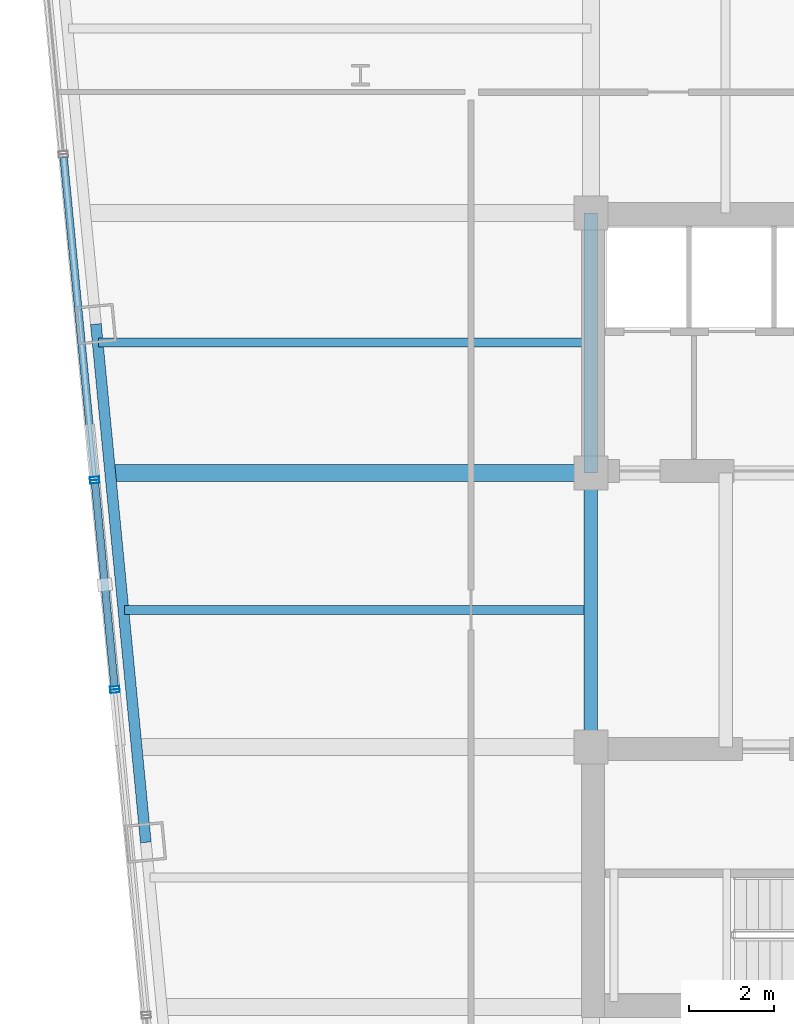
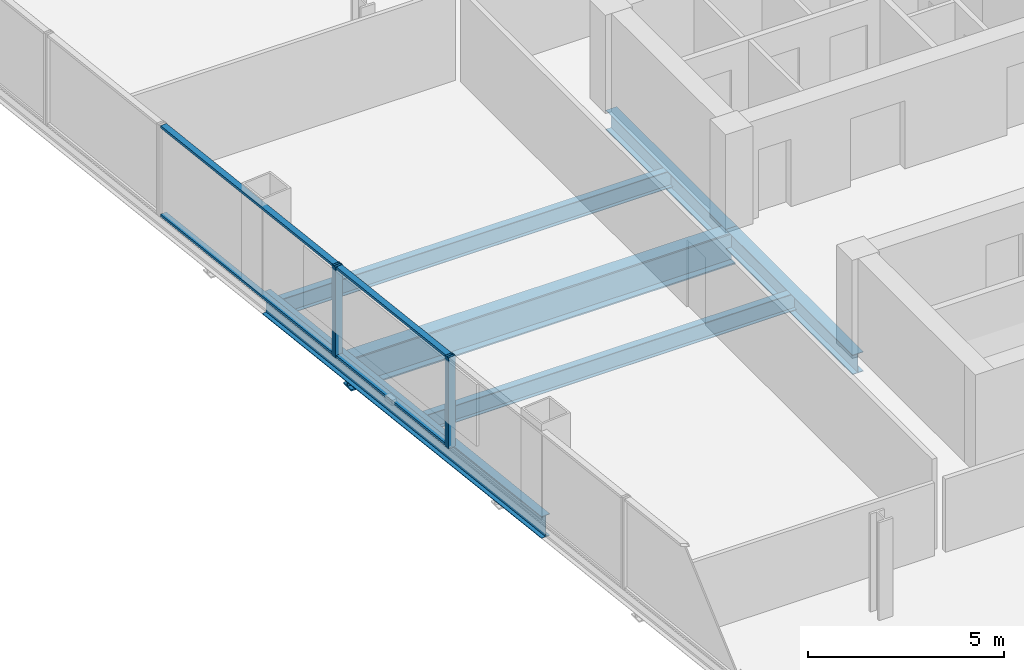
# One storey, part 7 of 27: 8 members, 6 beams, 3 elements without a shape of their own.
"""IFC4 building model written with IfcOpenShell, lengths in metres."""

from ifc_helpers import new_model, si_unit, direction, frame, origin, origin_2d, place, context, subcontext, project, spatial, hollow_rectangle, i_section, extrude, material, layer, layer_set, material_profile, profile_set, type_object, element, aggregate, save


model = new_model("IFC4")

# Units and contexts
model_context = context("Model", 3, precision=1e-05, world=origin(), true_north=direction((0.0, 1.0)))
body_context = subcontext(model_context, "Body", "Model", "MODEL_VIEW")
ifc_project = project(units=[si_unit("LENGTHUNIT", "METRE"), si_unit("AREAUNIT", "SQUARE_METRE"), si_unit("VOLUMEUNIT", "CUBIC_METRE"), si_unit("PLANEANGLEUNIT", "RADIAN"), si_unit("MASSUNIT", "GRAM", prefix="KILO")], contexts=[model_context])

# Site, building, storey
site_placement = place(None, origin())
site = spatial("IfcSite", under=ifc_project, at=site_placement, CompositionType="ELEMENT")
building_placement = place(site_placement, origin())
building = spatial("IfcBuilding", under=site, at=building_placement, Name="Qhalaya Broadcast Tower", CompositionType="ELEMENT")
storey_placement = place(building_placement, frame((0.0, 0.0, 75.550048828125)))
storey = spatial("IfcBuildingStorey", under=building, at=storey_placement, Name="L21", CompositionType="ELEMENT", Elevation=75.550048828125)

# Beams
ifc_material_1 = material(Name="Structural Steel ASTM A992 Grade 50", Category="steel")
ifc_material_profile_1 = material_profile(ifc_material_1, i_section(OverallWidth=0.2099609375, OverallDepth=0.535888671875, WebThickness=0.010986328125, FlangeThickness=0.017333984375, at=origin_2d()), Name="W21X68")
ifc_profile_set_1 = profile_set([ifc_material_profile_1], Name="Structural Steel ASTM A992 Grade 50")
beam_type_1 = type_object("IfcBeamType", Name="Composite Floor Joist J02", PredefinedType="JOIST", material=ifc_profile_set_1)
beam_1_placement = place(storey_placement, frame((-20.368408203125, 0.60009765625, -0.488037109375), z_axis=(1.0, 0.0, 0.0), x_axis=(0.0, 1.0, 0.0)))
element("IfcBeam", 1, at=beam_1_placement, inside=storey, type_object=beam_type_1, Name="L21 J02 L21-JWE4W-1", PredefinedType="JOIST", context=body_context, shape_type="SweptSolid", body=[
    extrude(i_section(OverallWidth=0.2099609375, OverallDepth=0.535888671875, WebThickness=0.010986328125, FlangeThickness=0.017333984375, at=origin_2d()), origin(), (0.0, 0.0, 1.0), 10.993408203125),
])
beam_2_placement = place(storey_placement, frame((-20.974853515625, 6.89990234375, -0.488037109375), z_axis=(1.0, 0.0, 0.0), x_axis=(0.0, 1.0, 0.0)))
element("IfcBeam", 2, at=beam_2_placement, inside=storey, type_object=beam_type_1, Name="L21 J02 L21-JWE5W-1", PredefinedType="JOIST", context=body_context, shape_type="SweptSolid", body=[
    extrude(i_section(OverallWidth=0.2099609375, OverallDepth=0.535888671875, WebThickness=0.010986328125, FlangeThickness=0.017333984375, at=origin_2d()), origin(), (0.0, 0.0, 1.0), 11.599853515625),
])
ifc_material_profile_2 = material_profile(ifc_material_1, i_section(OverallWidth=0.323974609375, OverallDepth=0.612060546875, WebThickness=0.0126953125, FlangeThickness=0.01904296875, at=origin_2d()), Name="W24X104")
ifc_profile_set_2 = profile_set([ifc_material_profile_2], Name="Structural Steel ASTM A992 Grade 50")
beam_type_2 = type_object("IfcBeamType", Name="Core Frame Tie Beam B04", PredefinedType="BEAM", material=ifc_profile_set_2)
beam_3_placement = place(storey_placement, frame((-9.375, 3.824951171875, -0.526123046875), z_axis=(0.0, 1.0, 0.0), x_axis=(-1.0, 0.0, 0.0)))
element("IfcBeam", 3, at=beam_3_placement, inside=storey, type_object=beam_type_2, Name="L21 B04 L21-CCN2", PredefinedType="BEAM", context=body_context, shape_type="SweptSolid", body=[
    extrude(i_section(OverallWidth=0.323974609375, OverallDepth=0.612060546875, WebThickness=0.0126953125, FlangeThickness=0.01904296875, at=origin_2d()), origin(), (0.0, 0.0, 1.0), 6.125),
])
beam_4_placement = place(storey_placement, frame((-9.375, -2.625, -0.526123046875), z_axis=(0.0, 1.0, 0.0), x_axis=(-1.0, 0.0, 0.0)))
element("IfcBeam", 4, at=beam_4_placement, inside=storey, type_object=beam_type_2, Name="L21 B04 L21-CCW", PredefinedType="BEAM", context=body_context, shape_type="SweptSolid", body=[
    extrude(i_section(OverallWidth=0.323974609375, OverallDepth=0.612060546875, WebThickness=0.0126953125, FlangeThickness=0.01904296875, at=origin_2d()), origin(), (0.0, 0.0, 1.0), 6.449951171875),
])
ifc_material_profile_3 = material_profile(ifc_material_1, i_section(OverallWidth=0.40087890625, OverallDepth=1.010986328125, WebThickness=0.023681640625, FlangeThickness=0.0419921875, at=origin_2d()), Name="W40X297")
ifc_profile_set_3 = profile_set([ifc_material_profile_3], Name="Structural Steel ASTM A992 Grade 50")
beam_type_3 = type_object("IfcBeamType", Name="Lower Block Primary Girder PG2", PredefinedType="USERDEFINED", material=ifc_profile_set_3)
beam_5_placement = place(storey_placement, frame((-20.6787109375, 3.824951171875, -0.7255859375), z_axis=(1.0, 0.0, 0.0), x_axis=(0.0, 1.0, 0.0)))
element("IfcBeam", 5, at=beam_5_placement, inside=storey, type_object=beam_type_3, Name="L21 PG2 L21-PGYW3-1", ObjectType="GIRDER", PredefinedType="USERDEFINED", context=body_context, shape_type="SweptSolid", body=[
    extrude(i_section(OverallWidth=0.40087890625, OverallDepth=1.010986328125, WebThickness=0.023681640625, FlangeThickness=0.0419921875, at=origin_2d()), origin(), (0.0, 0.0, 1.0), 11.3037109375),
])
ifc_material_profile_4 = material_profile(ifc_material_1, i_section(OverallWidth=0.25390625, OverallDepth=0.68310546875, WebThickness=0.012451171875, FlangeThickness=0.01904296875, at=origin_2d()), Name="W27X94")
ifc_profile_set_4 = profile_set([ifc_material_profile_4], Name="Structural Steel ASTM A992 Grade 50")
beam_type_4 = type_object("IfcBeamType", Name="Perimeter Ring Spandrel Beam SP1", PredefinedType="SPANDREL", material=ifc_profile_set_4)
beam_6_placement = place(storey_placement, frame((-21.036865234375, 7.335205078125, -0.5615234375), z_axis=(0.095851586307, -0.99539563662, 0.0), x_axis=(0.99539563662, 0.095851586307, 0.0)))
element("IfcBeam", 6, at=beam_6_placement, inside=storey, type_object=beam_type_4, Name="L21 SP1 L21-SPR-14", PredefinedType="SPANDREL", context=body_context, shape_type="SweptSolid", body=[
    extrude(i_section(OverallWidth=0.25390625, OverallDepth=0.68310546875, WebThickness=0.012451171875, FlangeThickness=0.01904296875, at=origin_2d()), origin(), (0.0, 0.0, 1.0), 12.2666015625),
])

# Curtain wall, member
ifc_material_2 = material(Name="Fired Architectural Terracotta", Category="masonry")
ifc_layer_1 = layer(ifc_material_2, 0.219970703125, Name="Fired Architectural Terracotta")
ifc_layer_set_1 = layer_set([ifc_layer_1], Name="Fired Architectural Terracotta")
curtain_wall_type_1 = type_object("IfcCurtainWallType", Name="Block-Cap Unitised Terracotta Spandrel Wall CW-07", PredefinedType="NOTDEFINED", material=ifc_layer_set_1)
curtain_wall_1_placement = place(storey_placement, origin())
curtain_wall_1 = element("IfcCurtainWall", 7, at=curtain_wall_1_placement, inside=storey, type_object=curtain_wall_type_1, Name="L21 Unitised Curtain Wall L21-CW-W3", PredefinedType="NOTDEFINED")
ifc_material_3 = material(Name="Anodised Aluminium 6063-T6", Category="aluminium")
ifc_material_profile_5 = material_profile(ifc_material_3, hollow_rectangle(XDim=0.074951171875, YDim=0.219970703125, WallThickness=0.00390625, at=origin_2d()), Name="ALU-MUL 75x220x4")
ifc_profile_set_5 = profile_set([ifc_material_profile_5], Name="Anodised Aluminium 6063-T6")
member_type_1 = type_object("IfcMemberType", Name="Unitised Curtain-Wall Mullion M01", PredefinedType="MULLION", material=ifc_profile_set_5)
member_1_placement = place(storey_placement, frame((-21.068603515625, 3.69873046875, 0.0), z_axis=(0.0, 0.0, 1.0), x_axis=(0.095849092763, -0.995395876733, 0.0)))
member_1 = element("IfcMember", 8, at=member_1_placement, type_object=member_type_1, Name="CW-07 mullion 2", PredefinedType="MULLION", context=body_context, shape_type="SweptSolid", body=[
    extrude(hollow_rectangle(XDim=0.074951171875, YDim=0.219970703125, WallThickness=0.00390625, at=origin_2d()), origin(), (0.0, 0.0, 1.0), 2.829833984375),
])

# Curtain wall, members
ifc_material_4 = material(Name="Solar-Control Low-E Triple Glazing", Category="glass")
ifc_layer_2 = layer(ifc_material_4, 0.219970703125, Name="Solar-Control Low-E Triple Glazing")
ifc_layer_set_2 = layer_set([ifc_layer_2], Name="Solar-Control Low-E Triple Glazing")
curtain_wall_type_2 = type_object("IfcCurtainWallType", Name="Even-Block 4-Storey Double-Module Curtain Wall CW-03", PredefinedType="NOTDEFINED", material=ifc_layer_set_2)
curtain_wall_2_placement = place(storey_placement, origin())
curtain_wall_2 = element("IfcCurtainWall", 9, at=curtain_wall_2_placement, inside=storey, type_object=curtain_wall_type_2, Name="L21 Unitised Curtain Wall L21-CW-W4", PredefinedType="NOTDEFINED")
member_2_placement = place(storey_placement, frame((-21.061279296875, 3.6240234375, 0.0), z_axis=(0.0, 0.0, 1.0), x_axis=(0.095844611292, -0.995396308254, 0.0)))
member_2 = element("IfcMember", 10, at=member_2_placement, type_object=member_type_1, Name="CW-03 mullion 1", PredefinedType="MULLION", context=body_context, shape_type="SweptSolid", body=[
    extrude(hollow_rectangle(XDim=0.074951171875, YDim=0.219970703125, WallThickness=0.00390625, at=origin_2d()), origin(), (0.0, 0.0, 1.0), 2.829833984375),
])
member_3_placement = place(storey_placement, frame((-20.59326171875, -1.236572265625, 0.0), z_axis=(0.0, 0.0, 1.0), x_axis=(0.095844611292, -0.995396308254, 0.0)))
member_3 = element("IfcMember", 11, at=member_3_placement, type_object=member_type_1, Name="CW-03 mullion 2", PredefinedType="MULLION", context=body_context, shape_type="SweptSolid", body=[
    extrude(hollow_rectangle(XDim=0.074951171875, YDim=0.219970703125, WallThickness=0.00390625, at=origin_2d()), origin(), (0.0, 0.0, 1.0), 2.829833984375),
])

# Curtain wall, member
curtain_wall_3_placement = place(storey_placement, origin())
curtain_wall_3 = element("IfcCurtainWall", 12, at=curtain_wall_3_placement, inside=storey, type_object=curtain_wall_type_1, Name="L21 Unitised Curtain Wall L21-CW-W5", PredefinedType="NOTDEFINED")
member_4_placement = place(storey_placement, frame((-20.586181640625, -1.311279296875, 0.0), z_axis=(0.0, 0.0, 1.0), x_axis=(0.095849092763, -0.995395876733, 0.0)))
member_4 = element("IfcMember", 13, at=member_4_placement, type_object=member_type_1, Name="CW-07 mullion 1", PredefinedType="MULLION", context=body_context, shape_type="SweptSolid", body=[
    extrude(hollow_rectangle(XDim=0.074951171875, YDim=0.219970703125, WallThickness=0.00390625, at=origin_2d()), origin(), (0.0, 0.0, 1.0), 2.829833984375),
])
aggregate(curtain_wall_3, [member_4])

# Member
ifc_material_profile_6 = material_profile(ifc_material_3, hollow_rectangle(XDim=0.074951171875, YDim=0.179931640625, WallThickness=0.00390625, at=origin_2d()), Name="ALU-TRN 75x180x4")
ifc_profile_set_6 = profile_set([ifc_material_profile_6], Name="Anodised Aluminium 6063-T6")
member_type_2 = type_object("IfcMemberType", Name="Unitised Curtain-Wall Transom T01", PredefinedType="USERDEFINED", material=ifc_profile_set_6)
member_5_placement = place(storey_placement, frame((-21.796630859375, 11.26025390625, 0.037353515625), z_axis=(0.095857641751, -0.995395053493, 0.0), x_axis=(0.0, 0.0, 1.0)))
member_5 = element("IfcMember", 14, at=member_5_placement, type_object=member_type_2, Name="CW-07 transom 1.1", ObjectType="TRANSOM", PredefinedType="USERDEFINED", context=body_context, shape_type="SweptSolid", body=[
    extrude(hollow_rectangle(XDim=0.074951171875, YDim=0.179931640625, WallThickness=0.00390625, at=origin_2d()), origin(), (0.0, 0.0, 1.0), 7.559326171875),
])

member_6_placement = place(storey_placement, frame((-21.796630859375, 11.26025390625, 2.79248046875), z_axis=(0.095857641751, -0.995395053493, 0.0), x_axis=(0.0, 0.0, 1.0)))
member_6 = element("IfcMember", 15, at=member_6_placement, type_object=member_type_2, Name="CW-07 transom 1.2", ObjectType="TRANSOM", PredefinedType="USERDEFINED", context=body_context, shape_type="SweptSolid", body=[
    extrude(hollow_rectangle(XDim=0.074951171875, YDim=0.179931640625, WallThickness=0.00390625, at=origin_2d()), origin(), (0.0, 0.0, 1.0), 7.559326171875),
])

aggregate(curtain_wall_1, [member_1, member_5, member_6])

member_7_placement = place(storey_placement, frame((-21.0576171875, 3.586669921875, 0.037353515625), z_axis=(0.0958178693, -0.995398882822, 0.0), x_axis=(0.0, 0.0, 1.0)))
member_7 = element("IfcMember", 16, at=member_7_placement, type_object=member_type_2, Name="CW-03 transom 1.1", ObjectType="TRANSOM", PredefinedType="USERDEFINED", context=body_context, shape_type="SweptSolid", body=[
    extrude(hollow_rectangle(XDim=0.074951171875, YDim=0.179931640625, WallThickness=0.00390625, at=origin_2d()), origin(), (0.0, 0.0, 1.0), 4.80810546875),
])

member_8_placement = place(storey_placement, frame((-21.0576171875, 3.586669921875, 2.79248046875), z_axis=(0.0958178693, -0.995398882822, 0.0), x_axis=(0.0, 0.0, 1.0)))
member_8 = element("IfcMember", 17, at=member_8_placement, type_object=member_type_2, Name="CW-03 transom 1.2", ObjectType="TRANSOM", PredefinedType="USERDEFINED", context=body_context, shape_type="SweptSolid", body=[
    extrude(hollow_rectangle(XDim=0.074951171875, YDim=0.179931640625, WallThickness=0.00390625, at=origin_2d()), origin(), (0.0, 0.0, 1.0), 4.80810546875),
])

aggregate(curtain_wall_2, [member_2, member_3, member_7, member_8])

save(model, "model.ifc")
